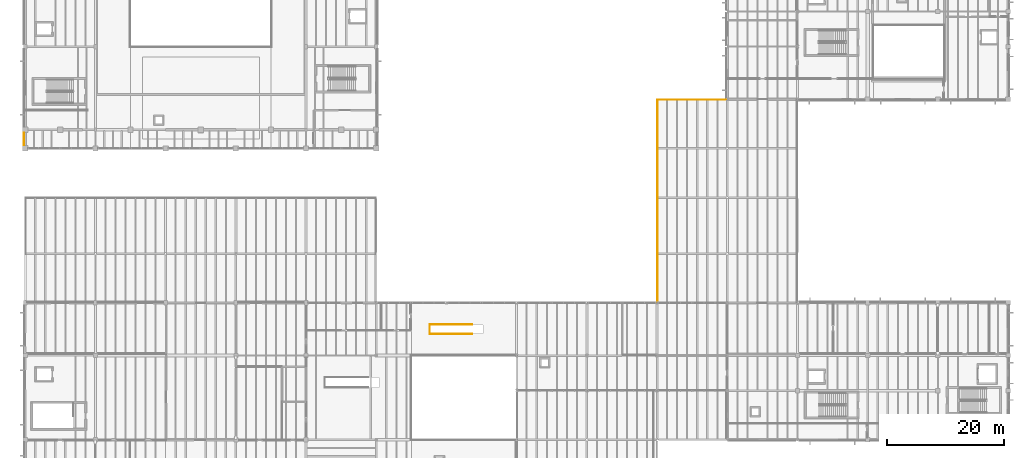
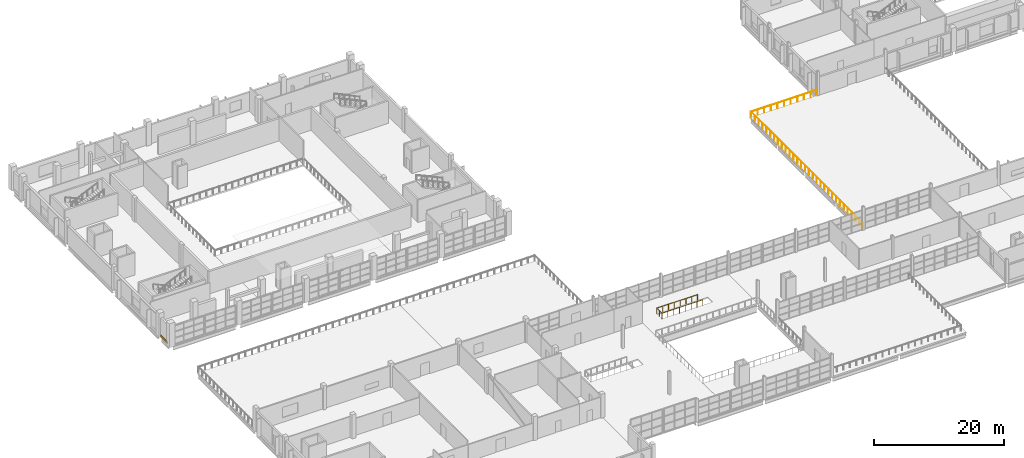
# One storey, part 67 of 78: 2 railings, 1 covering.
"""IFC4 building model written with IfcOpenShell, lengths in metres."""

from ifc_helpers import new_model, si_unit, direction, frame, origin, origin_2d, place, context, subcontext, project, spatial, rectangle, circle, extrude, material, layer, layer_set, type_object, element, save


model = new_model("IFC4")

# Units and contexts
model_context = context("Model", 3, precision=1e-05, world=origin(), true_north=direction((0.0, 1.0)))
body_context = subcontext(model_context, "Body", "Model", "MODEL_VIEW")
ifc_project = project(units=[si_unit("LENGTHUNIT", "METRE"), si_unit("AREAUNIT", "SQUARE_METRE"), si_unit("VOLUMEUNIT", "CUBIC_METRE"), si_unit("PLANEANGLEUNIT", "RADIAN"), si_unit("MASSUNIT", "GRAM", prefix="KILO")], contexts=[model_context])

# Site, building, storey
site_placement = place(None, origin())
site = spatial("IfcSite", under=ifc_project, at=site_placement, CompositionType="ELEMENT")
building_placement = place(site_placement, origin())
building = spatial("IfcBuilding", under=site, at=building_placement, Name="Kelmvaro Bay Concert Hall", CompositionType="ELEMENT")
storey_placement = place(building_placement, frame((0.0, 0.0, 9.300048828125)))
storey = spatial("IfcBuildingStorey", under=building, at=storey_placement, Name="L02", CompositionType="ELEMENT", Elevation=9.300048828125)

# Covering
ifc_material_1 = material(Name="Honed Florida Limestone Travertine", Category="masonry")
ifc_layer = layer(ifc_material_1, 0.054931640625)
ifc_layer_set = layer_set([ifc_layer], Name="Honed Florida Limestone Travertine")
covering_type = type_object("IfcCoveringType", Name="Honed Florida Travertine Rainscreen Cladding 55", PredefinedType="CLADDING", material=ifc_layer_set)
covering_placement = place(storey_placement, frame((-0.20556640625, 67.00244140625, 0.0400390625), z_axis=(0.0, 0.0, 1.0), x_axis=(0.0, 1.0, 0.0)))
element("IfcCovering", 1, at=covering_placement, inside=storey, type_object=covering_type, Name="L02 Travertine Sill Band 0083", PredefinedType="CLADDING", context=body_context, shape_type="SweptSolid", body=[
    extrude(rectangle(XDim=2.135009765625, YDim=0.054931640625, at=origin_2d()), origin(), (0.0, 0.0, 1.0), 0.4599609375),
])

# Railings
ifc_material_2 = material(Name="Powder-Coated Steel ASTM A500", Category="steel")
railing_type_1 = type_object("IfcRailingType", Name="Stair Well Painted Steel Guard 1100", PredefinedType="BALUSTRADE", material=ifc_material_2)
railing_1_placement = place(storey_placement, frame((76.39990234375, 33.699951171875, 0.0)))
element("IfcRailing", 2, at=railing_1_placement, inside=storey, type_object=railing_type_1, Name="L02 Feature Stair FS-05 Well Guard", PredefinedType="BALUSTRADE", context=body_context, shape_type="SweptSolid", body=[
    extrude(circle(Radius=0.02392578125, at=origin_2d()), frame((0.0, 0.0, 1.076171875), z_axis=(-1.0, 0.0, 0.0), x_axis=(0.0, -1.0, 0.0)), (0.0, 0.0, 1.0), 7.260009765625),
    extrude(circle(Radius=0.02392578125, at=origin_2d()), frame((-7.260009765625, 0.0, 1.076171875), z_axis=(0.0, 1.0, 0.0), x_axis=(-1.0, 0.0, 0.0)), (0.0, 0.0, 1.0), 1.60009765625),
    extrude(circle(Radius=0.02392578125, at=origin_2d()), frame((-7.260009765625, 1.60009765625, 1.076171875), z_axis=(1.0, 0.0, 0.0), x_axis=(0.0, 1.0, 0.0)), (0.0, 0.0, 1.0), 7.260009765625),
    extrude(circle(Radius=0.02099609375, at=origin_2d()), origin(), (0.0, 0.0, 1.0), 1.052001953125),
    extrude(circle(Radius=0.02099609375, at=origin_2d()), frame((-1.037109375, 0.0, 0.0)), (0.0, 0.0, 1.0), 1.052001953125),
    extrude(circle(Radius=0.02099609375, at=origin_2d()), frame((-2.07421875, 0.0, 0.0)), (0.0, 0.0, 1.0), 1.052001953125),
    extrude(circle(Radius=0.02099609375, at=origin_2d()), frame((-3.111328125, 0.0, 0.0)), (0.0, 0.0, 1.0), 1.052001953125),
    extrude(circle(Radius=0.02099609375, at=origin_2d()), frame((-4.148681640625, 0.0, 0.0)), (0.0, 0.0, 1.0), 1.052001953125),
    extrude(circle(Radius=0.02099609375, at=origin_2d()), frame((-5.185791015625, 0.0, 0.0)), (0.0, 0.0, 1.0), 1.052001953125),
    extrude(circle(Radius=0.02099609375, at=origin_2d()), frame((-6.222900390625, 0.0, 0.0)), (0.0, 0.0, 1.0), 1.052001953125),
    extrude(circle(Radius=0.02099609375, at=origin_2d()), frame((-7.260009765625, 0.0, 0.0)), (0.0, 0.0, 1.0), 1.052001953125),
    extrude(circle(Radius=0.02099609375, at=origin_2d()), frame((-7.260009765625, 0.800048828125, 0.0)), (0.0, 0.0, 1.0), 1.052001953125),
    extrude(circle(Radius=0.02099609375, at=origin_2d()), frame((-7.260009765625, 1.60009765625, 0.0)), (0.0, 0.0, 1.0), 1.052001953125),
    extrude(circle(Radius=0.02099609375, at=origin_2d()), frame((-6.222900390625, 1.60009765625, 0.0)), (0.0, 0.0, 1.0), 1.052001953125),
    extrude(circle(Radius=0.02099609375, at=origin_2d()), frame((-5.185791015625, 1.60009765625, 0.0)), (0.0, 0.0, 1.0), 1.052001953125),
    extrude(circle(Radius=0.02099609375, at=origin_2d()), frame((-4.148681640625, 1.60009765625, 0.0)), (0.0, 0.0, 1.0), 1.052001953125),
    extrude(circle(Radius=0.02099609375, at=origin_2d()), frame((-3.111328125, 1.60009765625, 0.0)), (0.0, 0.0, 1.0), 1.052001953125),
    extrude(circle(Radius=0.02099609375, at=origin_2d()), frame((-2.07421875, 1.60009765625, 0.0)), (0.0, 0.0, 1.0), 1.052001953125),
    extrude(circle(Radius=0.02099609375, at=origin_2d()), frame((-1.037109375, 1.60009765625, 0.0)), (0.0, 0.0, 1.0), 1.052001953125),
    extrude(circle(Radius=0.02099609375, at=origin_2d()), frame((0.0, 1.60009765625, 0.0)), (0.0, 0.0, 1.0), 1.052001953125),
])
ifc_material_3 = material(Name="Stainless Steel 316 and Laminated Glass", Category="steel")
railing_type_2 = type_object("IfcRailingType", Name="Waterfront Terrace Laminated Glass Guard 1100", PredefinedType="BALUSTRADE", material=ifc_material_3)
railing_2_placement = place(storey_placement, frame((108.080078125, 39.1201171875, 0.0)))
element("IfcRailing", 3, at=railing_2_placement, inside=storey, type_object=railing_type_2, Name="L02 Terrace Guard 007", PredefinedType="BALUSTRADE", context=body_context, shape_type="SweptSolid", body=[
    extrude(circle(Radius=0.02392578125, at=origin_2d()), frame((0.0, 0.0, 1.076171875), z_axis=(0.0, 1.0, 0.0), x_axis=(-1.0, 0.0, 0.0)), (0.0, 0.0, 1.0), 34.599853515625),
    extrude(circle(Radius=0.02392578125, at=origin_2d()), frame((0.0, 34.599853515625, 1.076171875), z_axis=(1.0, 0.0, 0.0), x_axis=(0.0, 1.0, 0.0)), (0.0, 0.0, 1.0), 11.7998046875),
    extrude(circle(Radius=0.02099609375, at=origin_2d()), origin(), (0.0, 0.0, 1.0), 1.052001953125),
    extrude(circle(Radius=0.02099609375, at=origin_2d()), frame((0.0, 1.193115234375, 0.0)), (0.0, 0.0, 1.0), 1.052001953125),
    extrude(circle(Radius=0.02099609375, at=origin_2d()), frame((0.0, 2.38623046875, 0.0)), (0.0, 0.0, 1.0), 1.052001953125),
    extrude(circle(Radius=0.02099609375, at=origin_2d()), frame((0.0, 3.579345703125, 0.0)), (0.0, 0.0, 1.0), 1.052001953125),
    extrude(circle(Radius=0.02099609375, at=origin_2d()), frame((0.0, 4.7724609375, 0.0)), (0.0, 0.0, 1.0), 1.052001953125),
    extrude(circle(Radius=0.02099609375, at=origin_2d()), frame((0.0, 5.965576171875, 0.0)), (0.0, 0.0, 1.0), 1.052001953125),
    extrude(circle(Radius=0.02099609375, at=origin_2d()), frame((0.0, 7.15869140625, 0.0)), (0.0, 0.0, 1.0), 1.052001953125),
    extrude(circle(Radius=0.02099609375, at=origin_2d()), frame((0.0, 8.351806640625, 0.0)), (0.0, 0.0, 1.0), 1.052001953125),
    extrude(circle(Radius=0.02099609375, at=origin_2d()), frame((0.0, 9.544677734375, 0.0)), (0.0, 0.0, 1.0), 1.052001953125),
    extrude(circle(Radius=0.02099609375, at=origin_2d()), frame((0.0, 10.73779296875, 0.0)), (0.0, 0.0, 1.0), 1.052001953125),
    extrude(circle(Radius=0.02099609375, at=origin_2d()), frame((0.0, 11.930908203125, 0.0)), (0.0, 0.0, 1.0), 1.052001953125),
    extrude(circle(Radius=0.02099609375, at=origin_2d()), frame((0.0, 13.1240234375, 0.0)), (0.0, 0.0, 1.0), 1.052001953125),
    extrude(circle(Radius=0.02099609375, at=origin_2d()), frame((0.0, 14.317138671875, 0.0)), (0.0, 0.0, 1.0), 1.052001953125),
    extrude(circle(Radius=0.02099609375, at=origin_2d()), frame((0.0, 15.51025390625, 0.0)), (0.0, 0.0, 1.0), 1.052001953125),
    extrude(circle(Radius=0.02099609375, at=origin_2d()), frame((0.0, 16.703369140625, 0.0)), (0.0, 0.0, 1.0), 1.052001953125),
    extrude(circle(Radius=0.02099609375, at=origin_2d()), frame((0.0, 17.896484375, 0.0)), (0.0, 0.0, 1.0), 1.052001953125),
    extrude(circle(Radius=0.02099609375, at=origin_2d()), frame((0.0, 19.089599609375, 0.0)), (0.0, 0.0, 1.0), 1.052001953125),
    extrude(circle(Radius=0.02099609375, at=origin_2d()), frame((0.0, 20.28271484375, 0.0)), (0.0, 0.0, 1.0), 1.052001953125),
    extrude(circle(Radius=0.02099609375, at=origin_2d()), frame((0.0, 21.475830078125, 0.0)), (0.0, 0.0, 1.0), 1.052001953125),
    extrude(circle(Radius=0.02099609375, at=origin_2d()), frame((0.0, 22.6689453125, 0.0)), (0.0, 0.0, 1.0), 1.052001953125),
    extrude(circle(Radius=0.02099609375, at=origin_2d()), frame((0.0, 23.862060546875, 0.0)), (0.0, 0.0, 1.0), 1.052001953125),
    extrude(circle(Radius=0.02099609375, at=origin_2d()), frame((0.0, 25.05517578125, 0.0)), (0.0, 0.0, 1.0), 1.052001953125),
    extrude(circle(Radius=0.02099609375, at=origin_2d()), frame((0.0, 26.248046875, 0.0)), (0.0, 0.0, 1.0), 1.052001953125),
    extrude(circle(Radius=0.02099609375, at=origin_2d()), frame((0.0, 27.441162109375, 0.0)), (0.0, 0.0, 1.0), 1.052001953125),
    extrude(circle(Radius=0.02099609375, at=origin_2d()), frame((0.0, 28.63427734375, 0.0)), (0.0, 0.0, 1.0), 1.052001953125),
    extrude(circle(Radius=0.02099609375, at=origin_2d()), frame((0.0, 29.827392578125, 0.0)), (0.0, 0.0, 1.0), 1.052001953125),
    extrude(circle(Radius=0.02099609375, at=origin_2d()), frame((0.0, 31.0205078125, 0.0)), (0.0, 0.0, 1.0), 1.052001953125),
    extrude(circle(Radius=0.02099609375, at=origin_2d()), frame((0.0, 32.213623046875, 0.0)), (0.0, 0.0, 1.0), 1.052001953125),
    extrude(circle(Radius=0.02099609375, at=origin_2d()), frame((0.0, 33.40673828125, 0.0)), (0.0, 0.0, 1.0), 1.052001953125),
    extrude(circle(Radius=0.02099609375, at=origin_2d()), frame((0.0, 34.599853515625, 0.0)), (0.0, 0.0, 1.0), 1.052001953125),
    extrude(circle(Radius=0.02099609375, at=origin_2d()), frame((1.179931640625, 34.599853515625, 0.0)), (0.0, 0.0, 1.0), 1.052001953125),
    extrude(circle(Radius=0.02099609375, at=origin_2d()), frame((2.35986328125, 34.599853515625, 0.0)), (0.0, 0.0, 1.0), 1.052001953125),
    extrude(circle(Radius=0.02099609375, at=origin_2d()), frame((3.5400390625, 34.599853515625, 0.0)), (0.0, 0.0, 1.0), 1.052001953125),
    extrude(circle(Radius=0.02099609375, at=origin_2d()), frame((4.719970703125, 34.599853515625, 0.0)), (0.0, 0.0, 1.0), 1.052001953125),
    extrude(circle(Radius=0.02099609375, at=origin_2d()), frame((5.89990234375, 34.599853515625, 0.0)), (0.0, 0.0, 1.0), 1.052001953125),
    extrude(circle(Radius=0.02099609375, at=origin_2d()), frame((7.079833984375, 34.599853515625, 0.0)), (0.0, 0.0, 1.0), 1.052001953125),
    extrude(circle(Radius=0.02099609375, at=origin_2d()), frame((8.259765625, 34.599853515625, 0.0)), (0.0, 0.0, 1.0), 1.052001953125),
    extrude(circle(Radius=0.02099609375, at=origin_2d()), frame((9.43994140625, 34.599853515625, 0.0)), (0.0, 0.0, 1.0), 1.052001953125),
    extrude(circle(Radius=0.02099609375, at=origin_2d()), frame((10.619873046875, 34.599853515625, 0.0)), (0.0, 0.0, 1.0), 1.052001953125),
    extrude(circle(Radius=0.02099609375, at=origin_2d()), frame((11.7998046875, 34.599853515625, 0.0)), (0.0, 0.0, 1.0), 1.052001953125),
])

save(model, "model.ifc")
